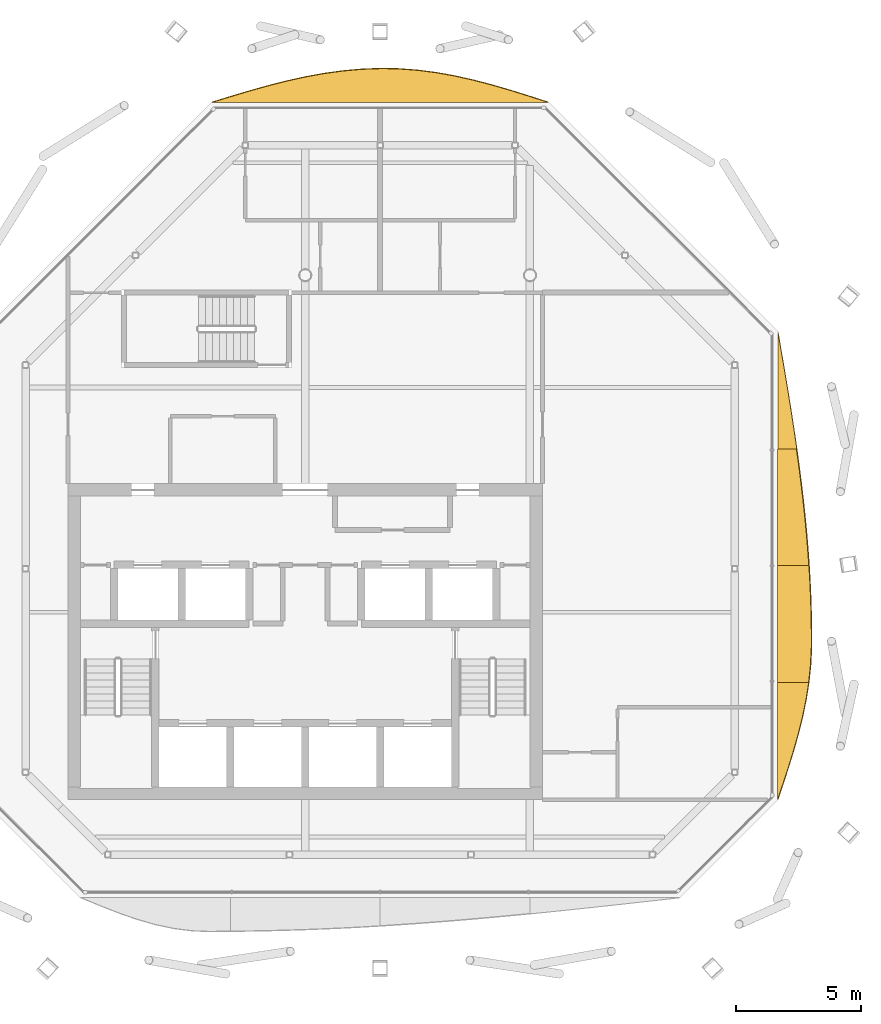
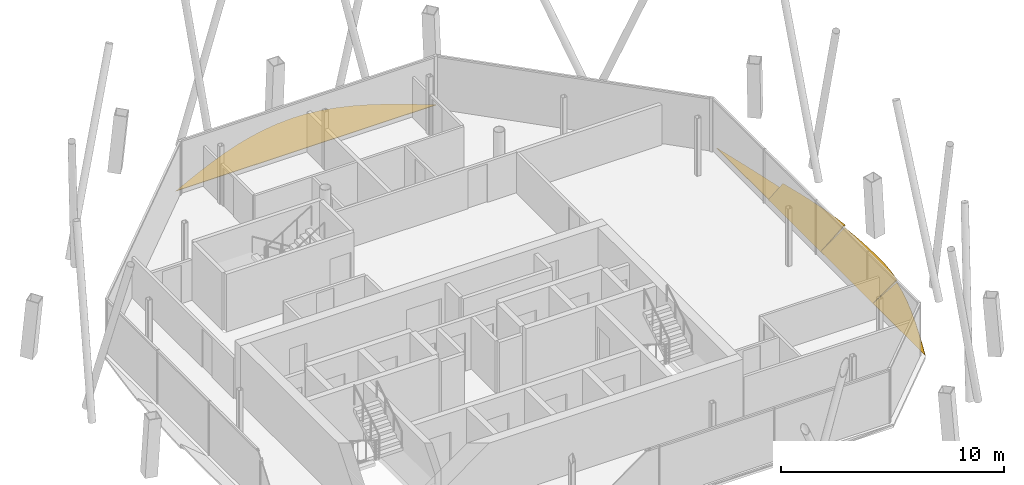
# One storey, part 13 of 13: 5 shading devices.
"""IFC4 building model written with IfcOpenShell, lengths in metres."""

from ifc_helpers import new_model, si_unit, direction, frame, origin, place, context, subcontext, project, spatial, polyline, outline, extrude, material, layer, layer_set, type_object, element, save


model = new_model("IFC4")

# Units and contexts
model_context = context("Model", 3, precision=1e-05, world=origin(), true_north=direction((0.0, 1.0)))
body_context = subcontext(model_context, "Body", "Model", "MODEL_VIEW")
ifc_project = project(units=[si_unit("LENGTHUNIT", "METRE"), si_unit("AREAUNIT", "SQUARE_METRE"), si_unit("VOLUMEUNIT", "CUBIC_METRE"), si_unit("PLANEANGLEUNIT", "RADIAN"), si_unit("MASSUNIT", "GRAM", prefix="KILO")], contexts=[model_context])

# Site, building, storey
site_placement = place(None, origin())
site = spatial("IfcSite", under=ifc_project, at=site_placement, CompositionType="ELEMENT")
building_placement = place(site_placement, origin())
building = spatial("IfcBuilding", under=site, at=building_placement, Name="Tskaro Facet Tower", CompositionType="ELEMENT")
storey_placement = place(building_placement, frame((0.0, 0.0, 278.39990234375)))
storey = spatial("IfcBuildingStorey", under=building, at=storey_placement, Name="L74", CompositionType="ELEMENT", Elevation=278.39990234375)

# Shading devices
ifc_material = material(Name="Bronze anodised aluminium 6063-T6", Category="aluminium")
ifc_layer = layer(ifc_material, 0.06005859375, Name="Bronze anodised aluminium 6063-T6")
ifc_layer_set = layer_set([ifc_layer], Name="Bronze anodised aluminium 6063-T6")
shading_device_type = type_object("IfcShadingDeviceType", Name="Bronze sun blade (FN1)", PredefinedType="USERDEFINED", material=ifc_layer_set)
shading_device_1_placement = place(storey_placement, frame((18.91796875, -11.990966796875, 0.052001953125), z_axis=(-0.500058869, 2.4054636e-05, 0.865991412749), x_axis=(1.2028734e-05, 0.999999999711, -2.0831108e-05)))
element("IfcShadingDevice", 1, at=shading_device_1_placement, inside=storey, type_object=shading_device_type, Name="Fin blade east 1", ObjectType="FIN", PredefinedType="USERDEFINED", context=body_context, shape_type="SweptSolid", body=[
    extrude(outline(polyline([(0.0, 0.0), (4.680175779895965, 0.0), (4.680175782717025, -1.432651631576297), (4.01171874856141, -1.31037258115438), (3.343017577162893, -1.152208456082144), (2.674316404488762, -0.9622179501106393), (2.0058593761040986, -0.7456389600998382), (1.337158204166425, -0.5088319927035556), (0.6684570277937727, -0.25803546989075676), (0.0, 0.0)])), origin(), (0.0, 0.0, -1.0), 0.06005859375),
])
shading_device_2_placement = place(storey_placement, frame((18.91357421875, -7.310791015625, 0.04931640625), z_axis=(-0.573545090552, -1.2717163e-05, 0.819173991862), x_axis=(-7.293867e-06, 0.999999999919, 1.041757e-05)))
element("IfcShadingDevice", 2, at=shading_device_2_placement, inside=storey, type_object=shading_device_type, Name="Fin blade east 2", ObjectType="FIN", PredefinedType="USERDEFINED", context=body_context, shape_type="SweptSolid", body=[
    extrude(outline(polyline([(0.0, 0.0), (4.680175780871546, 0.0), (4.680175781958236, -1.5301596375139526), (4.011718749175795, -1.577161456530157), (3.3430175790896604, -1.612722856102823), (2.6745605460823603, -1.6367637785685556), (2.005859375008744, -1.6490242622834925), (1.647460937026758, -1.6507843268132678), (1.3371582024290227, -1.6457041268743153), (0.6687011717976366, -1.6022224369176612), (-4.194153406061841e-10, -1.5145790183898384), (0.0, 0.0)])), origin(), (0.0, 0.0, -1.0), 0.06005859375),
])
shading_device_3_placement = place(storey_placement, frame((18.909423828125, -2.630615234375, 0.046142578125), z_axis=(-0.642741364837, 8.5386e-06, 0.766083244729), x_axis=(5.488111e-06, 0.999999999964, -6.541278e-06)))
element("IfcShadingDevice", 3, at=shading_device_3_placement, inside=storey, type_object=shading_device_type, Name="Fin blade east 3", ObjectType="FIN", PredefinedType="USERDEFINED", context=body_context, shape_type="SweptSolid", body=[
    extrude(outline(polyline([(0.0, 0.0), (4.680419921704381, -3.9644698808135234e-21), (4.680419920960163, -0.9867274882018906), (4.011718750931353, -1.1070120921603932), (3.3432617186307234, -1.2192954774516864), (2.67456054759927, -1.3231068862401791), (2.0058593749566125, -1.4171973197579257), (1.3374023431818538, -1.5010659074056882), (0.6687011712821329, -1.5743686978627593), (-9.431884488705298e-10, -1.6362307564455476), (0.0, 0.0)])), origin(), (0.0, 0.0, -1.0), 0.06005859375),
])
shading_device_4_placement = place(storey_placement, frame((18.927490234375, 2.0498046875, 0.056396484375), z_axis=(-0.342165588818, -1.8848579e-05, 0.939639670019), x_axis=(-6.449335e-06, 0.999999999822, 1.7710873e-05)))
element("IfcShadingDevice", 4, at=shading_device_4_placement, inside=storey, type_object=shading_device_type, Name="Fin blade east 4", ObjectType="FIN", PredefinedType="USERDEFINED", context=body_context, shape_type="SweptSolid", body=[
    extrude(outline(polyline([(0.0, 0.0), (4.680175780418639, 3.964263085660385e-21), (4.011474609595293, -0.12187532251355009), (3.3430175770471937, -0.24266595512023942), (2.67431640467352, -0.36191308938736), (2.005859375698419, -0.4786155719287736), (1.3371582021983266, -0.5916051763168969), (0.6684570322712322, -0.7005066306397445), (-1.7061041225661263e-09, -0.804381112686087), (0.0, 0.0)])), origin(), (0.0, 0.0, -1.0), 0.06005859375),
])
shading_device_5_placement = place(storey_placement, frame((9.72998046875, 15.91796875, 0.052001953125), z_axis=(-3.876255e-06, -0.50004166242, 0.86600134863), x_axis=(-0.999999999992, 1.938289e-06, -3.356842e-06)))
element("IfcShadingDevice", 5, at=shading_device_5_placement, inside=storey, type_object=shading_device_type, Name="Fin blade north 1", ObjectType="FIN", PredefinedType="USERDEFINED", context=body_context, shape_type="SweptSolid", body=[
    extrude(outline(polyline([(0.0, 0.0), (13.459960937398879, 5.70051519140919e-21), (12.712158202840635, -0.2650302466832385), (11.964355468964573, -0.5220651940444482), (11.21655273412114, -0.7640207169185751), (10.468750000065844, -0.9838693009096083), (9.721191406374231, -1.1752831796680052), (8.973388672166497, -1.3325688651757437), (8.225585937052536, -1.4513668957927905), (7.477783203549181, -1.5279193533531599), (6.729980468690251, -1.560412748488806), (6.568359375195245, -1.5615026138988142), (5.982177733953605, -1.5460896828172344), (5.234374999651226, -1.482648345034438), (4.486572265344239, -1.37184561373942), (3.7387695314476512, -1.2172845917567023), (2.991210938089374, -1.0241138343993028), (2.2434082028296736, -0.7981489101692335), (1.4956054684163165, -0.5466853703420556), (0.7478027341671185, -0.27771851423979776), (0.0, 0.0)])), origin(), (0.0, 0.0, -1.0), 0.06005859375),
])

save(model, "model.ifc")
